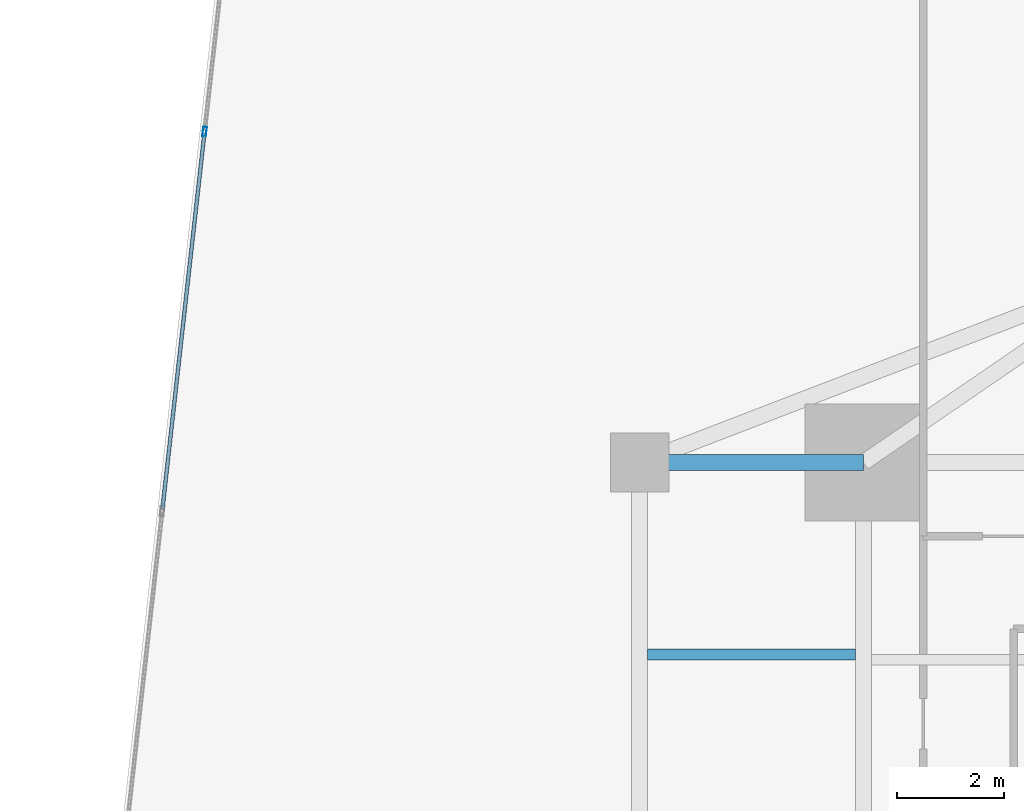
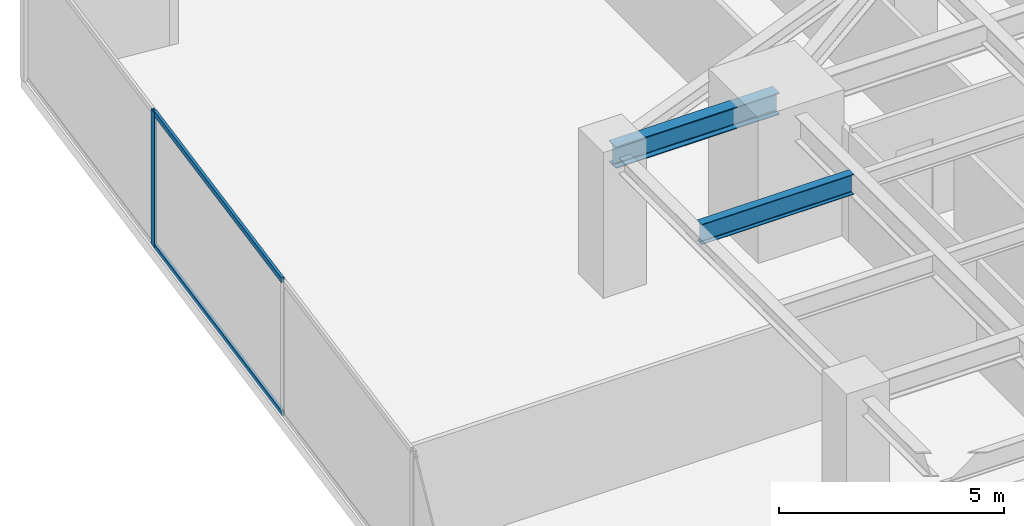
# One storey, part 16 of 29: 3 members, 2 beams, 1 element without a shape of its own.
"""IFC4 building model written with IfcOpenShell, lengths in metres."""

from ifc_helpers import new_model, si_unit, direction, frame, origin, origin_2d, place, context, subcontext, project, spatial, hollow_rectangle, i_section, extrude, source, transform, mapped, material, material_profile, profile_set, type_object, type_shapes, element, aggregate, save


model = new_model("IFC4")

# Units and contexts
model_context = context("Model", 3, precision=1e-05, world=origin(), true_north=direction((0.0, 1.0)))
body_context = subcontext(model_context, "Body", "Model", "MODEL_VIEW")
ifc_project = project(units=[si_unit("LENGTHUNIT", "METRE"), si_unit("AREAUNIT", "SQUARE_METRE"), si_unit("VOLUMEUNIT", "CUBIC_METRE"), si_unit("PLANEANGLEUNIT", "RADIAN"), si_unit("MASSUNIT", "GRAM", prefix="KILO")], contexts=[model_context])

# Site, building, storey
site_placement = place(None, origin())
site = spatial("IfcSite", under=ifc_project, at=site_placement, CompositionType="ELEMENT")
building_placement = place(site_placement, origin())
building = spatial("IfcBuilding", under=site, at=building_placement, Name="Krantzveldt Concourse Tower", CompositionType="ELEMENT")
storey_placement = place(building_placement, frame((0.0, 0.0, 60.550048828125)))
storey = spatial("IfcBuildingStorey", under=building, at=storey_placement, Name="L14", CompositionType="ELEMENT", Elevation=60.550048828125)

# Beams
ifc_material_1 = material(Name="Steel S355JR", Category="steel")
ifc_material_profile_1 = material_profile(ifc_material_1, i_section(OverallWidth=0.300048828125, OverallDepth=0.590087890625, WebThickness=0.012939453125, FlangeThickness=0.02490234375, FilletRadius=0.027099609375, at=origin_2d()), Name="Steel S355JR", Category="steel")
ifc_profile_set_1 = profile_set([ifc_material_profile_1], Name="Steel S355JR - HEA 600")
beam_type_1 = type_object("IfcBeamType", Name="BM-B-HEA600", PredefinedType="BEAM", material=ifc_profile_set_1)
shared_shape_1 = source(origin(), body_context, "Body", "SweptSolid", [
    extrude(i_section(OverallWidth=0.300048828125, OverallDepth=0.590087890625, WebThickness=0.012939453125, FlangeThickness=0.02490234375, FilletRadius=0.027099609375, at=origin_2d()), origin(), (0.0, 0.0, 1.0), 4.199951171875),
])
type_shapes(beam_type_1, [shared_shape_1])
beam_1_placement = place(storey_placement, frame((21.0, 37.5, 3.375), z_axis=(1.0, 0.0, 0.0), x_axis=(0.0, 1.0, 0.0)))
element("IfcBeam", 1, at=beam_1_placement, inside=storey, type_object=beam_type_1, Name="L14 Tower Girder BR-RL3", PredefinedType="BEAM", context=body_context, shape_type="MappedRepresentation", body=[
    mapped(shared_shape_1, transform((0.0, 0.0, 0.0), x_axis=(1.0, 0.0, 0.0), y_axis=(0.0, 1.0, 0.0), z_axis=(0.0, 0.0, 1.0), scale=1.0)),
])
ifc_material_profile_2 = material_profile(ifc_material_1, i_section(OverallWidth=0.2099609375, OverallDepth=0.550048828125, WebThickness=0.010986328125, FlangeThickness=0.01708984375, FilletRadius=0.02392578125, at=origin_2d()), Name="Steel S355JR", Category="steel")
ifc_profile_set_2 = profile_set([ifc_material_profile_2], Name="Steel S355JR - IPE 550")
beam_type_2 = type_object("IfcBeamType", Name="BM-J-IPE550", PredefinedType="JOIST", material=ifc_profile_set_2)
shared_shape_2 = source(origin(), body_context, "Body", "SweptSolid", [
    extrude(i_section(OverallWidth=0.2099609375, OverallDepth=0.550048828125, WebThickness=0.010986328125, FlangeThickness=0.01708984375, FilletRadius=0.02392578125, at=origin_2d()), origin(), (0.0, 0.0, 1.0), 3.900146484375),
])
type_shapes(beam_type_2, [shared_shape_2])
beam_2_placement = place(storey_placement, frame((21.14990234375, 33.89990234375, 3.39501953125), z_axis=(1.0, 0.0, 0.0), x_axis=(0.0, 1.0, 0.0)))
element("IfcBeam", 2, at=beam_2_placement, inside=storey, type_object=beam_type_2, Name="L14 Secondary Floor Joist JW-4", PredefinedType="JOIST", context=body_context, shape_type="MappedRepresentation", body=[
    mapped(shared_shape_2, transform((0.0, 0.0, 0.0), x_axis=(1.0, 0.0, 0.0), y_axis=(0.0, 1.0, 0.0), z_axis=(0.0, 0.0, 1.0), scale=1.0)),
])

# Curtain wall, members
ifc_material_2 = material(Name="Anodised aluminium 6063-T6", Category="aluminium")
curtain_wall_type = type_object("IfcCurtainWallType", Name="CW2", PredefinedType="USERDEFINED", material=ifc_material_2)
curtain_wall_placement = place(storey_placement, origin())
curtain_wall = element("IfcCurtainWall", 3, at=curtain_wall_placement, inside=storey, type_object=curtain_wall_type, Name="CW-L14-F01", ObjectType="UNITISED CURTAIN WALL", PredefinedType="USERDEFINED")
ifc_material_profile_3 = material_profile(ifc_material_2, hollow_rectangle(XDim=0.070068359375, YDim=0.179931640625, WallThickness=0.0048828125, at=origin_2d()), Name="Anodised aluminium 6063-T6", Category="aluminium")
ifc_profile_set_3 = profile_set([ifc_material_profile_3], Name="Anodised aluminium 6063-T6 - ALU-MULL 180x70x5")
member_type_1 = type_object("IfcMemberType", Name="CW-MUL-180", PredefinedType="MULLION", material=ifc_profile_set_3)
shared_shape_3 = source(origin(), body_context, "Body", "SweptSolid", [
    extrude(hollow_rectangle(XDim=0.070068359375, YDim=0.179931640625, WallThickness=0.0048828125, at=origin_2d()), origin(), (0.0, 0.0, 1.0), 3.669921875),
])
type_shapes(member_type_1, [shared_shape_3])
member_1_placement = place(storey_placement, frame((12.83544921875, 43.710693359375, 0.0), z_axis=(0.0, 0.0, 1.0), x_axis=(0.993816458223, -0.111035342863, 0.0)))
member_1 = element("IfcMember", 4, at=member_1_placement, type_object=member_type_1, Name="CW-Z12 mullion 2", PredefinedType="MULLION", context=body_context, shape_type="MappedRepresentation", body=[
    mapped(shared_shape_3, transform((0.0, 0.0, 0.0), x_axis=(1.0, 0.0, 0.0), y_axis=(0.0, 1.0, 0.0), z_axis=(0.0, 0.0, 1.0), scale=1.0)),
])
ifc_material_profile_4 = material_profile(ifc_material_2, hollow_rectangle(XDim=0.070068359375, YDim=0.139892578125, WallThickness=0.0048828125, at=origin_2d()), Name="Anodised aluminium 6063-T6", Category="aluminium")
ifc_profile_set_4 = profile_set([ifc_material_profile_4], Name="Anodised aluminium 6063-T6 - ALU-TRAN 140x70x5")
member_type_2 = type_object("IfcMemberType", Name="CW-TRN-150", PredefinedType="USERDEFINED", material=ifc_profile_set_4)
shared_shape_4 = source(origin(), body_context, "Body", "SweptSolid", [
    extrude(hollow_rectangle(XDim=0.070068359375, YDim=0.139892578125, WallThickness=0.0048828125, at=origin_2d()), origin(), (0.0, 0.0, 1.0), 7.0966796875),
])
type_shapes(member_type_2, [shared_shape_4])
member_2_placement = place(storey_placement, frame((12.83154296875, 43.67578125, 0.034912109375), z_axis=(-0.111016768449, -0.993818533296, 0.0), x_axis=(0.993818533296, -0.111016768449, 0.0)))
member_2 = element("IfcMember", 5, at=member_2_placement, type_object=member_type_2, Name="CW-Z12 transom 2.1", ObjectType="TRANSOM", PredefinedType="USERDEFINED", context=body_context, shape_type="MappedRepresentation", body=[
    mapped(shared_shape_4, transform((0.0, 0.0, 0.0), x_axis=(1.0, 0.0, 0.0), y_axis=(0.0, 1.0, 0.0), z_axis=(0.0, 0.0, 1.0), scale=1.0)),
])
member_3_placement = place(storey_placement, frame((12.83154296875, 43.67578125, 3.635009765625), z_axis=(-0.111016768449, -0.993818533296, 0.0), x_axis=(0.993818533296, -0.111016768449, 0.0)))
member_3 = element("IfcMember", 6, at=member_3_placement, type_object=member_type_2, Name="CW-Z12 transom 2.2", ObjectType="TRANSOM", PredefinedType="USERDEFINED", context=body_context, shape_type="MappedRepresentation", body=[
    mapped(shared_shape_4, transform((0.0, 0.0, 0.0), x_axis=(1.0, 0.0, 0.0), y_axis=(0.0, 1.0, 0.0), z_axis=(0.0, 0.0, 1.0), scale=1.0)),
])
aggregate(curtain_wall, [member_1, member_2, member_3])

save(model, "model.ifc")
